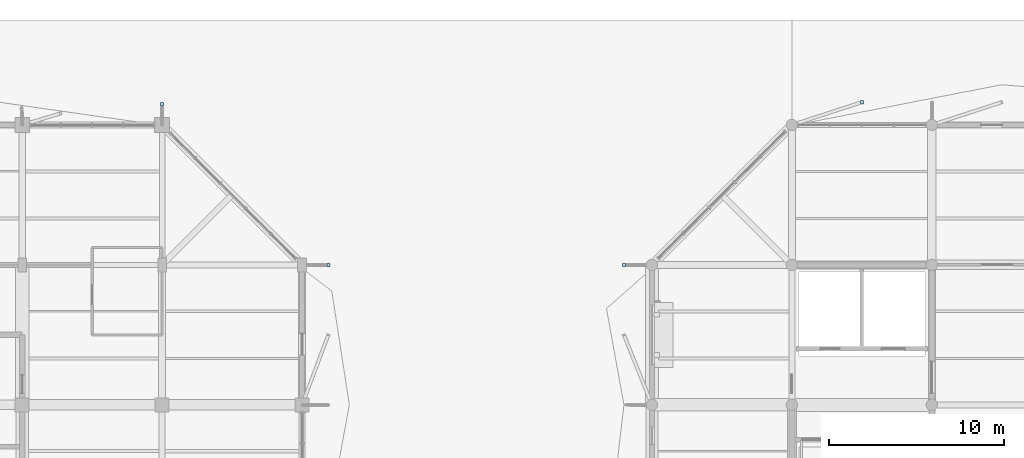
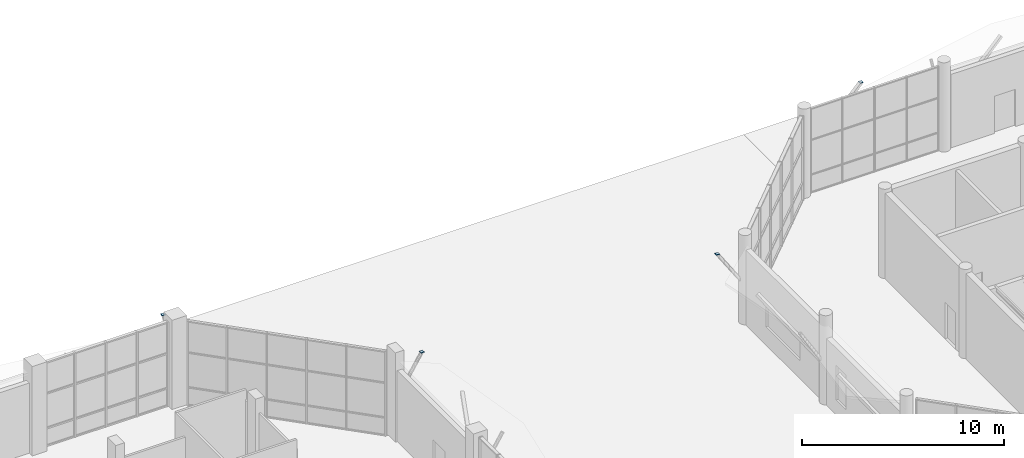
# One storey, part 95 of 123: 4 plates.
"""IFC4 building model written with IfcOpenShell, lengths in metres."""

from ifc_helpers import new_model, si_unit, direction, frame, origin, origin_2d, place, context, subcontext, project, spatial, rectangle, extrude, material, layer, layer_set, type_object, element, save


model = new_model("IFC4")

# Units and contexts
model_context = context("Model", 3, precision=1e-05, world=origin(), true_north=direction((0.0, 1.0)))
body_context = subcontext(model_context, "Body", "Model", "MODEL_VIEW")
ifc_project = project(units=[si_unit("LENGTHUNIT", "METRE"), si_unit("AREAUNIT", "SQUARE_METRE"), si_unit("VOLUMEUNIT", "CUBIC_METRE"), si_unit("PLANEANGLEUNIT", "RADIAN"), si_unit("MASSUNIT", "GRAM", prefix="KILO")], contexts=[model_context])

# Site, building, storey
site_placement = place(None, origin())
site = spatial("IfcSite", under=ifc_project, at=site_placement, CompositionType="ELEMENT")
building_placement = place(site_placement, origin())
building = spatial("IfcBuilding", under=site, at=building_placement, Name="Tenunan Teduh Sports Hall", CompositionType="ELEMENT")
storey_placement = place(building_placement, origin())
storey = spatial("IfcBuildingStorey", under=building, at=storey_placement, Name="L00", CompositionType="ELEMENT", Elevation=0.0)

# Plates
ifc_material = material(Name="Steel S355", Category="steel")
ifc_layer = layer(ifc_material, 0.01611328125)
ifc_layer_set = layer_set([ifc_layer], Name="Steel S355")
plate_type = type_object("IfcPlateType", Name="PLT-CAP-180", PredefinedType="SHEET", material=ifc_layer_set)
for number, where, z_axis, x_axis, name in (
    (1, (70.0, 119.199951171875, 4.619873046875), (0.0, 0.0, 1.0), (1.0, 0.0, 0.0), "PLT-CAP-L00-002"),
    (2, (79.5, 110.0, 4.619873046875), (0.0, 0.0, 1.0), (1.0, 0.0, 0.0), "PLT-CAP-L00-004"),
    (3, (110.0, 119.300048828125, 4.619873046875), (0.0, 0.0, 1.0), (1.0, 0.0, 0.0), "PLT-CAP-L00-005"),
    (4, (96.39990234375, 110.0, 4.619873046875), (0.0, 0.0, 1.0), (1.0, 0.0, 0.0), "PLT-CAP-L00-007"),
):
    element("IfcPlate", number, at=place(storey_placement, frame(where, z_axis=z_axis, x_axis=x_axis)), inside=storey, type_object=plate_type, Name=name, PredefinedType="SHEET", context=body_context, shape_type="SweptSolid", body=[
        extrude(rectangle(XDim=0.179931640625, YDim=0.179931640625, at=origin_2d()), origin(), (0.0, 0.0, 1.0), 0.01611328125),
    ])

save(model, "model.ifc")
